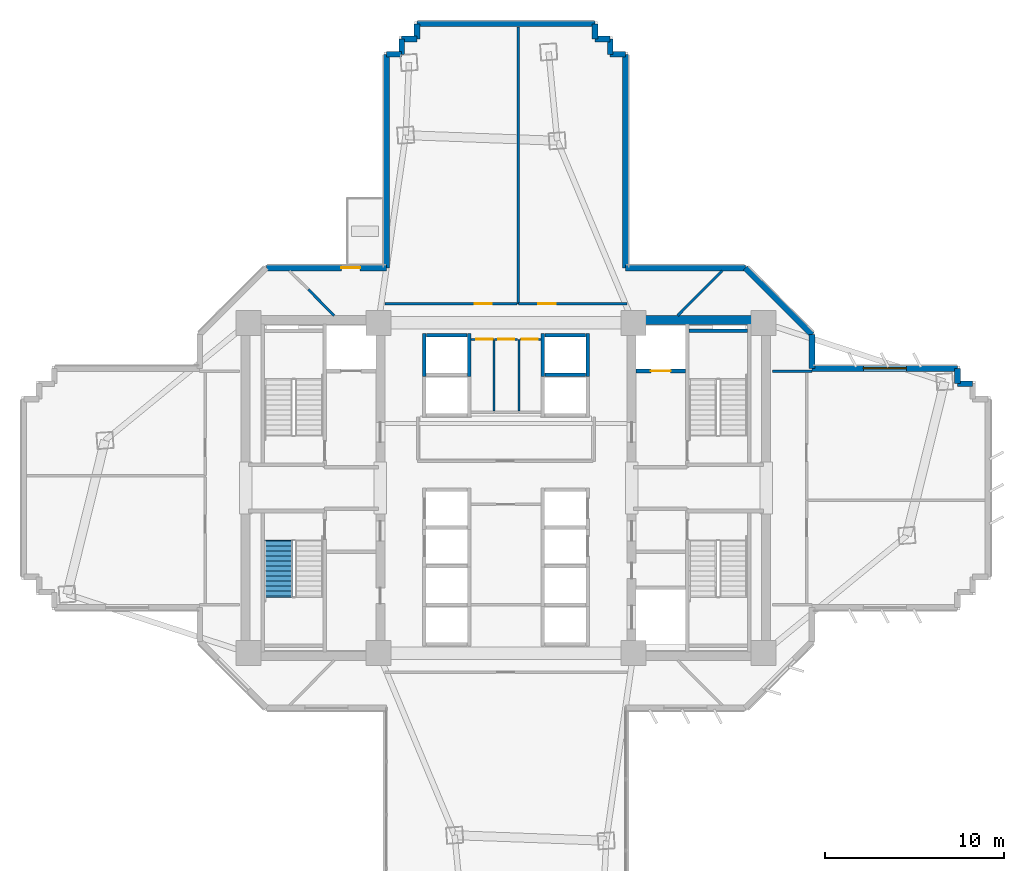
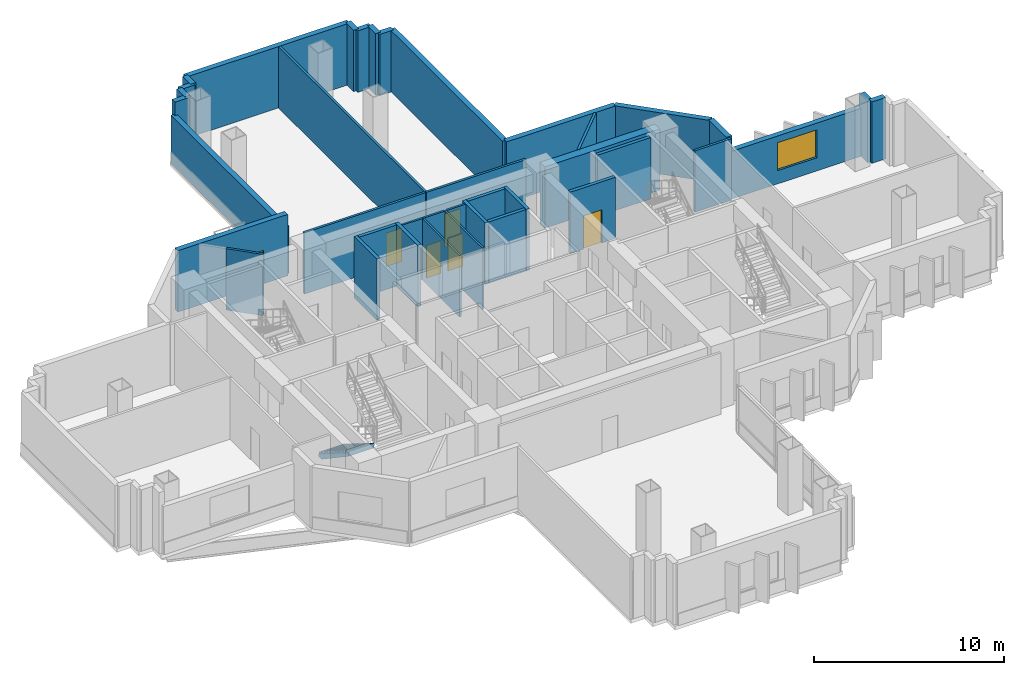
# One storey, part 8 of 14: 39 walls, 7 doors, 1 stair flight, 1 window, 8 openings, 1 element without a shape of its own.
"""IFC4 building model written with IfcOpenShell, lengths in metres."""

from ifc_helpers import new_model, si_unit, direction, frame, frame_2d, origin, place, context, subcontext, project, spatial, polyline, rectangle, outline, extrude, source, transform, mapped, material, layer, layer_set, type_object, element, fill, aggregate, save


model = new_model("IFC4")

# Units and contexts
model_context = context("Model", 3, precision=1e-05, world=origin(), true_north=direction((0.0, 1.0)))
body_context = subcontext(model_context, "Body", "Model", "MODEL_VIEW")
ifc_project = project(units=[si_unit("LENGTHUNIT", "METRE"), si_unit("AREAUNIT", "SQUARE_METRE"), si_unit("VOLUMEUNIT", "CUBIC_METRE"), si_unit("PLANEANGLEUNIT", "RADIAN"), si_unit("MASSUNIT", "GRAM", prefix="KILO")], contexts=[model_context])

# Site, building, storey
site_placement = place(None, origin())
site = spatial("IfcSite", under=ifc_project, at=site_placement, CompositionType="ELEMENT")
building_placement = place(site_placement, origin())
building = spatial("IfcBuilding", under=site, at=building_placement, Name="Zahravan Cultural Tower", CompositionType="ELEMENT")
storey_placement = place(building_placement, frame((0.0, 0.0, 37.5)))
storey = spatial("IfcBuildingStorey", under=building, at=storey_placement, Name="L07", CompositionType="ELEMENT", Elevation=37.5)

# Wall, opening, window
ifc_material_1 = material(Name="Precast concrete C40/50", Category="concrete")
ifc_layer_1 = layer(ifc_material_1, 0.320068359375)
ifc_layer_set_1 = layer_set([ifc_layer_1], Name="Precast concrete C40/50")
wall_type_1 = type_object("IfcWallType", Name="EW-TC-320", PredefinedType="SOLIDWALL", material=ifc_layer_set_1)
wall_1_placement = place(storey_placement, frame((53.06005859375, 33.659912109375, 0.0), z_axis=(0.0, 0.0, 1.0), x_axis=(1.0, 0.0, 0.0)))
wall_1 = element("IfcWall", 1, at=wall_1_placement, inside=storey, type_object=wall_type_1, Name="L07 Exterior Masonry Frame Wall 01", PredefinedType="SOLIDWALL", context=body_context, shape_type="SweptSolid", body=[
    extrude(rectangle(XDim=8.099853515625, YDim=0.320068359375, at=frame_2d((4.0498046875, 0.0))), origin(), (0.0, 0.0, 1.0), 3.080078125),
])
opening_1_placement = place(wall_1_placement, frame((2.85009765625, 0.0, 0.85009765625)))
opening_1 = element("IfcOpeningElement", 2, at=opening_1_placement, cuts=wall_1, Name="Opening WN-01", PredefinedType="OPENING", context=body_context, shape_type="SweptSolid", body=[
    extrude(rectangle(XDim=2.39990234375, YDim=1.800048828125, at=frame_2d((1.199951171875, 0.89990234375))), frame((0.0, 0.169921875, 0.0), z_axis=(0.0, -1.0, 0.0), x_axis=(1.0, 0.0, 0.0)), (0.0, 0.0, 1.0), 0.340087890625),
])
ifc_material_2 = material(Name="Low-E solar-control double glazing", Category="glass")
window_type = type_object("IfcWindowType", Name="WN-REC-2400X1800", PartitioningType="DOUBLE_PANEL_VERTICAL", PredefinedType="WINDOW", material=ifc_material_2)
shared_shape_1 = source(origin(), body_context, "Body", "SweptSolid", [
    extrude(rectangle(XDim=2.39990234375, YDim=1.800048828125, at=frame_2d((1.199951171875, 0.89990234375))), frame((0.0, 0.030029296875, 0.0), z_axis=(0.0, -1.0, 0.0), x_axis=(1.0, 0.0, 0.0)), (0.0, 0.0, 1.0), 0.06005859375),
])
window_placement = place(opening_1_placement, origin())
window = element("IfcWindow", 3, at=window_placement, inside=storey, type_object=window_type, Name="L07 Recessed Solar Window 01", OverallHeight=1.800048828125, OverallWidth=2.39990234375, PartitioningType="DOUBLE_PANEL_VERTICAL", PredefinedType="WINDOW", context=body_context, shape_type="MappedRepresentation", body=[
    mapped(shared_shape_1, transform((0.0, 0.0, 0.0), x_axis=(1.0, 0.0, 0.0), y_axis=(0.0, 1.0, 0.0), z_axis=(0.0, 0.0, 1.0), scale=1.0)),
])
fill(opening_1, window)

# Wall, opening, door
wall_2_placement = place(storey_placement, frame((22.657958984375, 39.260009765625, 0.0), z_axis=(0.0, 0.0, 1.0), x_axis=(1.0, 0.0, 0.0)))
wall_2 = element("IfcWall", 4, at=wall_2_placement, inside=storey, type_object=wall_type_1, Name="L07 Exterior Masonry Frame Wall 40", PredefinedType="SOLIDWALL", context=body_context, shape_type="SweptSolid", body=[
    extrude(rectangle(XDim=6.68212890625, YDim=0.320068359375, at=frame_2d((3.341064453125, 0.0))), origin(), (0.0, 0.0, 1.0), 3.949951171875),
])
opening_2_placement = place(wall_2_placement, frame((4.16796875, 0.0, 0.0)))
opening_2 = element("IfcOpeningElement", 5, at=opening_2_placement, cuts=wall_2, Name="Opening D-L07-TR-NW", PredefinedType="OPENING", context=body_context, shape_type="SweptSolid", body=[
    extrude(rectangle(XDim=1.050048828125, YDim=2.14990234375, at=frame_2d((0.52490234375, 1.074951171875))), frame((0.0, 0.169921875, 0.0), z_axis=(0.0, -1.0, 0.0), x_axis=(1.0, 0.0, 0.0)), (0.0, 0.0, 1.0), 0.340087890625),
])
ifc_material_3 = material(Name="Anodised bronze-aluminium mullion", Category="aluminium")
door_type_1 = type_object("IfcDoorType", Name="DR-TERR-1050", OperationType="NOTDEFINED", PredefinedType="DOOR", material=ifc_material_3)
shared_shape_2 = source(origin(), body_context, "Body", "SweptSolid", [
    extrude(rectangle(XDim=1.050048828125, YDim=2.14990234375, at=frame_2d((0.52490234375, 1.074951171875))), frame((0.0, 0.02490234375, 0.0), z_axis=(0.0, -1.0, 0.0), x_axis=(1.0, 0.0, 0.0)), (0.0, 0.0, 1.0), 0.050048828125),
])
door_1_placement = place(opening_2_placement, origin())
door_1 = element("IfcDoor", 6, at=door_1_placement, inside=storey, type_object=door_type_1, Name="L07 Terrace Access Door NW", OperationType="SINGLE_SWING_RIGHT", OverallHeight=2.14990234375, OverallWidth=1.050048828125, PredefinedType="DOOR", context=body_context, shape_type="MappedRepresentation", body=[
    mapped(shared_shape_2, transform((0.0, 0.0, 0.0), x_axis=(1.0, 0.0, 0.0), y_axis=(0.0, 1.0, 0.0), z_axis=(0.0, 0.0, 1.0), scale=1.0)),
])
fill(opening_2, door_1)

ifc_material_4 = material(Name="Gypsum plasterboard partition")
ifc_layer_2 = layer(ifc_material_4, 0.139892578125)
ifc_layer_set_2 = layer_set([ifc_layer_2], Name="Gypsum plasterboard partition")
wall_type_2 = type_object("IfcWallType", Name="W-PART-140", PredefinedType="PARTITIONING", material=ifc_layer_set_2)
wall_3_placement = place(storey_placement, frame((42.742431640625, 37.259765625, 0.0), z_axis=(0.0, 0.0, 1.0), x_axis=(-0.999999999186, 4.0337219e-05, 0.0)))
wall_3 = element("IfcWall", 7, at=wall_3_placement, inside=storey, type_object=wall_type_2, Name="L07 Interior Wall 094", PredefinedType="PARTITIONING", context=body_context, shape_type="SweptSolid", body=[
    extrude(rectangle(XDim=6.052490234375, YDim=0.139892578125, at=frame_2d((3.0263671875, 0.0))), origin(), (0.0, 0.0, 1.0), 3.949951171875),
])
opening_3_placement = place(wall_3_placement, frame((3.97998046875, 0.0, 0.0)))
opening_3 = element("IfcOpeningElement", 8, at=opening_3_placement, cuts=wall_3, Name="Opening D-L07-18", PredefinedType="OPENING", context=body_context, shape_type="SweptSolid", body=[
    extrude(rectangle(XDim=0.949951171875, YDim=2.14990234375, at=frame_2d((0.47509765625, 1.074951171875))), frame((0.0, 0.079833984375, 0.0), z_axis=(0.0, -1.0, 0.0), x_axis=(1.0, 0.0, 0.0)), (0.0, 0.0, 1.0), 0.159912109375),
])
door_type_2 = type_object("IfcDoorType", Name="DR-ROOM-950", OperationType="NOTDEFINED", PredefinedType="DOOR", material=ifc_material_3)
shared_shape_3 = source(origin(), body_context, "Body", "SweptSolid", [
    extrude(rectangle(XDim=0.949951171875, YDim=2.14990234375, at=frame_2d((0.47509765625, 1.074951171875))), frame((0.0, 0.02490234375, 0.0), z_axis=(0.0, -1.0, 0.0), x_axis=(1.0, 0.0, 0.0)), (0.0, 0.0, 1.0), 0.050048828125),
])
door_2_placement = place(opening_3_placement, origin())
door_2 = element("IfcDoor", 9, at=door_2_placement, inside=storey, type_object=door_type_2, Name="L07 Door D-L07-18", OperationType="SINGLE_SWING_LEFT", OverallHeight=2.14990234375, OverallWidth=0.949951171875, PredefinedType="DOOR", context=body_context, shape_type="MappedRepresentation", body=[
    mapped(shared_shape_3, transform((0.0, 0.0, 0.0), x_axis=(1.0, 0.0, 0.0), y_axis=(0.0, 1.0, 0.0), z_axis=(0.0, 0.0, 1.0), scale=1.0)),
])
fill(opening_3, door_2)

wall_4_placement = place(storey_placement, frame((36.614990234375, 37.260009765625, 0.0), z_axis=(0.0, 0.0, 1.0), x_axis=(-0.999999999449, -3.3182904e-05, 0.0)))
wall_4 = element("IfcWall", 10, at=wall_4_placement, inside=storey, type_object=wall_type_2, Name="L07 Interior Wall 096", PredefinedType="PARTITIONING", context=body_context, shape_type="SweptSolid", body=[
    extrude(rectangle(XDim=7.357421875, YDim=0.139892578125, at=frame_2d((3.6787109375, 0.0))), origin(), (0.0, 0.0, 1.0), 3.949951171875),
])
opening_4_placement = place(wall_4_placement, frame((1.40966796875, 0.0, 0.0)))
opening_4 = element("IfcOpeningElement", 11, at=opening_4_placement, cuts=wall_4, Name="Opening D-L07-19", PredefinedType="OPENING", context=body_context, shape_type="SweptSolid", body=[
    extrude(rectangle(XDim=0.949951171875, YDim=2.14990234375, at=frame_2d((0.47509765625, 1.074951171875))), frame((0.0, 0.079833984375, 0.0), z_axis=(0.0, -1.0, 0.0), x_axis=(1.0, 0.0, 0.0)), (0.0, 0.0, 1.0), 0.159912109375),
])
door_3_placement = place(opening_4_placement, origin())
door_3 = element("IfcDoor", 12, at=door_3_placement, inside=storey, type_object=door_type_2, Name="L07 Door D-L07-19", OperationType="SINGLE_SWING_RIGHT", OverallHeight=2.14990234375, OverallWidth=0.949951171875, PredefinedType="DOOR", context=body_context, shape_type="MappedRepresentation", body=[
    mapped(shared_shape_3, transform((0.0, 0.0, 0.0), x_axis=(1.0, 0.0, 0.0), y_axis=(0.0, 1.0, 0.0), z_axis=(0.0, 0.0, 1.0), scale=1.0)),
])
fill(opening_4, door_3)

ifc_material_5 = material(Name="Concrete C45/55", Category="concrete")
ifc_layer_3 = layer(ifc_material_5, 0.199951171875)
ifc_layer_set_3 = layer_set([ifc_layer_3], Name="Concrete C45/55")
wall_type_3 = type_object("IfcWallType", Name="W-SHAFT-200", PredefinedType="SOLIDWALL", material=ifc_layer_set_3)
wall_5_placement = place(storey_placement, frame((43.25, 33.52001953125, 0.0), z_axis=(0.0, 0.0, 1.0), x_axis=(1.0, 0.0, 0.0)))
wall_5 = element("IfcWall", 13, at=wall_5_placement, inside=storey, type_object=wall_type_3, Name="L07 Interior Wall 022", PredefinedType="SOLIDWALL", context=body_context, shape_type="SweptSolid", body=[
    extrude(rectangle(XDim=2.75, YDim=0.199951171875, at=frame_2d((1.375, 0.0))), origin(), (0.0, 0.0, 1.0), 3.949951171875),
])
opening_5_placement = place(wall_5_placement, frame((0.820068359375, 0.0, 0.0)))
opening_5 = element("IfcOpeningElement", 14, at=opening_5_placement, cuts=wall_5, Name="Opening LD-L07-02", PredefinedType="OPENING", context=body_context, shape_type="SweptSolid", body=[
    extrude(rectangle(XDim=1.10009765625, YDim=2.14990234375, at=frame_2d((0.550048828125, 1.074951171875))), frame((0.0, 0.10986328125, 0.0), z_axis=(0.0, -1.0, 0.0), x_axis=(1.0, 0.0, 0.0)), (0.0, 0.0, 1.0), 0.219970703125),
])
ifc_material_6 = material(Name="Steel ASTM A572 Grade 50", Category="steel")
door_type_3 = type_object("IfcDoorType", Name="DR-LIFT-1100", OperationType="DOUBLE_DOOR_SLIDING", PredefinedType="DOOR", material=ifc_material_6)
shared_shape_4 = source(origin(), body_context, "Body", "SweptSolid", [
    extrude(rectangle(XDim=1.10009765625, YDim=2.14990234375, at=frame_2d((0.550048828125, 1.074951171875))), frame((0.0, 0.02490234375, 0.0), z_axis=(0.0, -1.0, 0.0), x_axis=(1.0, 0.0, 0.0)), (0.0, 0.0, 1.0), 0.050048828125),
])
door_4_placement = place(opening_5_placement, origin())
door_4 = element("IfcDoor", 15, at=door_4_placement, inside=storey, type_object=door_type_3, Name="L07 Door LD-L07-02", OperationType="DOUBLE_DOOR_SLIDING", OverallHeight=2.14990234375, OverallWidth=1.10009765625, PredefinedType="DOOR", context=body_context, shape_type="MappedRepresentation", body=[
    mapped(shared_shape_4, transform((0.0, 0.0, 0.0), x_axis=(1.0, 0.0, 0.0), y_axis=(0.0, 1.0, 0.0), z_axis=(0.0, 0.0, 1.0), scale=1.0)),
])
fill(opening_5, door_4)

ifc_layer_4 = layer(ifc_material_4, 0.114990234375)
ifc_layer_set_4 = layer_set([ifc_layer_4], Name="Gypsum plasterboard partition")
wall_type_4 = type_object("IfcWallType", Name="W-WC-115", PredefinedType="PARTITIONING", material=ifc_layer_set_4)
wall_6_placement = place(storey_placement, frame((36.782470703125, 35.280029296875, 0.0), z_axis=(0.0, 0.0, 1.0), x_axis=(1.0, 0.0, 0.0)))
wall_6 = element("IfcWall", 16, at=wall_6_placement, inside=storey, type_object=wall_type_4, Name="L07 Interior Wall 068", PredefinedType="PARTITIONING", context=body_context, shape_type="SweptSolid", body=[
    extrude(rectangle(XDim=1.16259765625, YDim=0.114990234375, at=frame_2d((0.581298828125, 0.0))), origin(), (0.0, 0.0, 1.0), 3.949951171875),
])
opening_6_placement = place(wall_6_placement, frame((0.0888671875, 0.0, 0.0)))
opening_6 = element("IfcOpeningElement", 17, at=opening_6_placement, cuts=wall_6, Name="Opening D-L07-13", PredefinedType="OPENING", context=body_context, shape_type="SweptSolid", body=[
    extrude(rectangle(XDim=0.89990234375, YDim=2.10009765625, at=frame_2d((0.449951171875, 1.050048828125))), frame((0.0, 0.0673828125, 0.0), z_axis=(0.0, -1.0, 0.0), x_axis=(1.0, 0.0, 0.0)), (0.0, 0.0, 1.0), 0.135009765625),
])
door_type_4 = type_object("IfcDoorType", Name="DR-WC-900", OperationType="NOTDEFINED", PredefinedType="DOOR", material=ifc_material_3)
shared_shape_5 = source(origin(), body_context, "Body", "SweptSolid", [
    extrude(rectangle(XDim=0.89990234375, YDim=2.10009765625, at=frame_2d((0.449951171875, 1.050048828125))), frame((0.0, 0.02490234375, 0.0), z_axis=(0.0, -1.0, 0.0), x_axis=(1.0, 0.0, 0.0)), (0.0, 0.0, 1.0), 0.050048828125),
])
door_5_placement = place(opening_6_placement, origin())
door_5 = element("IfcDoor", 18, at=door_5_placement, inside=storey, type_object=door_type_4, Name="L07 Door D-L07-13", OperationType="SINGLE_SWING_RIGHT", OverallHeight=2.10009765625, OverallWidth=0.89990234375, PredefinedType="DOOR", context=body_context, shape_type="MappedRepresentation", body=[
    mapped(shared_shape_5, transform((0.0, 0.0, 0.0), x_axis=(1.0, 0.0, 0.0), y_axis=(0.0, 1.0, 0.0), z_axis=(0.0, 0.0, 1.0), scale=1.0)),
])
fill(opening_6, door_5)

wall_7_placement = place(storey_placement, frame((34.054931640625, 35.280029296875, 0.0), z_axis=(0.0, 0.0, 1.0), x_axis=(1.0, 0.0, 0.0)))
wall_7 = element("IfcWall", 19, at=wall_7_placement, inside=storey, type_object=wall_type_4, Name="L07 Interior Wall 070", PredefinedType="PARTITIONING", context=body_context, shape_type="SweptSolid", body=[
    extrude(rectangle(XDim=1.28515625, YDim=0.114990234375, at=frame_2d((0.642578125, 0.0))), origin(), (0.0, 0.0, 1.0), 3.949951171875),
])
opening_7_placement = place(wall_7_placement, frame((0.30029296875, 0.0, 0.0)))
opening_7 = element("IfcOpeningElement", 20, at=opening_7_placement, cuts=wall_7, Name="Opening D-L07-11", PredefinedType="OPENING", context=body_context, shape_type="SweptSolid", body=[
    extrude(rectangle(XDim=0.89990234375, YDim=2.10009765625, at=frame_2d((0.449951171875, 1.050048828125))), frame((0.0, 0.0673828125, 0.0), z_axis=(0.0, -1.0, 0.0), x_axis=(1.0, 0.0, 0.0)), (0.0, 0.0, 1.0), 0.135009765625),
])
door_6_placement = place(opening_7_placement, origin())
door_6 = element("IfcDoor", 21, at=door_6_placement, inside=storey, type_object=door_type_4, Name="L07 Door D-L07-11", OperationType="SINGLE_SWING_RIGHT", OverallHeight=2.10009765625, OverallWidth=0.89990234375, PredefinedType="DOOR", context=body_context, shape_type="MappedRepresentation", body=[
    mapped(shared_shape_5, transform((0.0, 0.0, 0.0), x_axis=(1.0, 0.0, 0.0), y_axis=(0.0, 1.0, 0.0), z_axis=(0.0, 0.0, 1.0), scale=1.0)),
])
fill(opening_7, door_6)

wall_8_placement = place(storey_placement, frame((35.360107421875, 35.280029296875, 0.0), z_axis=(0.0, 0.0, 1.0), x_axis=(1.0, 0.0, 0.0)))
wall_8 = element("IfcWall", 22, at=wall_8_placement, inside=storey, type_object=wall_type_4, Name="L07 Interior Wall 073", PredefinedType="PARTITIONING", context=body_context, shape_type="SweptSolid", body=[
    extrude(rectangle(XDim=1.29736328125, YDim=0.114990234375, at=frame_2d((0.648681640625, 0.0))), origin(), (0.0, 0.0, 1.0), 3.949951171875),
])
opening_8_placement = place(wall_8_placement, frame((0.19873046875, 0.0, 0.0)))
opening_8 = element("IfcOpeningElement", 23, at=opening_8_placement, cuts=wall_8, Name="Opening D-L07-12", PredefinedType="OPENING", context=body_context, shape_type="SweptSolid", body=[
    extrude(rectangle(XDim=0.89990234375, YDim=2.10009765625, at=frame_2d((0.449951171875, 1.050048828125))), frame((0.0, 0.0673828125, 0.0), z_axis=(0.0, -1.0, 0.0), x_axis=(1.0, 0.0, 0.0)), (0.0, 0.0, 1.0), 0.135009765625),
])
door_7_placement = place(opening_8_placement, origin())
door_7 = element("IfcDoor", 24, at=door_7_placement, inside=storey, type_object=door_type_4, Name="L07 Door D-L07-12", OperationType="SINGLE_SWING_LEFT", OverallHeight=2.10009765625, OverallWidth=0.89990234375, PredefinedType="DOOR", context=body_context, shape_type="MappedRepresentation", body=[
    mapped(shared_shape_5, transform((0.0, 0.0, 0.0), x_axis=(1.0, 0.0, 0.0), y_axis=(0.0, 1.0, 0.0), z_axis=(0.0, 0.0, 1.0), scale=1.0)),
])
fill(opening_8, door_7)

# Walls
ifc_material_7 = material(Name="Concrete C60/75", Category="concrete")
ifc_layer_5 = layer(ifc_material_7, 0.5)
ifc_layer_set_5 = layer_set([ifc_layer_5], Name="Concrete C60/75")
wall_type_5 = type_object("IfcWallType", Name="CW-SHEAR-500-C60", PredefinedType="SHEAR", material=ifc_layer_set_5)
shared_shape_6 = source(origin(), body_context, "Body", "SweptSolid", [
    extrude(rectangle(XDim=7.0, YDim=0.5, at=frame_2d((3.5, 0.0))), origin(), (0.0, 0.0, 1.0), 3.949951171875),
])
wall_9_placement = place(storey_placement, frame((43.25, 36.35009765625, 0.0), z_axis=(0.0, 0.0, 1.0), x_axis=(1.0, 0.0, 0.0)))
element("IfcWall", 25, at=wall_9_placement, inside=storey, type_object=wall_type_5, Name="L07 Core Shear Wall CW-E-N-L07", PredefinedType="SHEAR", context=body_context, shape_type="MappedRepresentation", body=[
    mapped(shared_shape_6, transform((0.0, 0.0, 0.0), x_axis=(1.0, 0.0, 0.0), y_axis=(0.0, 1.0, 0.0), z_axis=(0.0, 0.0, 1.0), scale=1.0)),
])
shared_shape_7 = source(origin(), body_context, "Body", "SweptSolid", [
    extrude(rectangle(XDim=0.849853515625, YDim=0.320068359375, at=frame_2d((0.4248046875, 0.0))), origin(), (0.0, 0.0, 1.0), 3.949951171875),
])
for number, where, z_axis, x_axis, name in (
    (26, (61.159912109375, 33.659912109375, 0.0), (0.0, 0.0, 1.0), (0.0, -1.0, 0.0), "L07 Exterior Masonry Frame Wall 02"),
    (27, (29.340087890625, 51.159912109375, 0.0), (0.0, 0.0, 1.0), (1.0, 0.0, 0.0), "L07 Exterior Masonry Frame Wall 42"),
    (28, (41.81005859375, 51.159912109375, 0.0), (0.0, 0.0, 1.0), (1.0, 0.0, 0.0), "L07 Exterior Masonry Frame Wall 50"),
):
    element("IfcWall", number, at=place(storey_placement, frame(where, z_axis=z_axis, x_axis=x_axis)), inside=storey, type_object=wall_type_1, Name=name, PredefinedType="SOLIDWALL", context=body_context, shape_type="MappedRepresentation", body=[
        mapped(shared_shape_7, transform((0.0, 0.0, 0.0), x_axis=(1.0, 0.0, 0.0), y_axis=(0.0, 1.0, 0.0), z_axis=(0.0, 0.0, 1.0), scale=1.0)),
    ])
shared_shape_8 = source(origin(), body_context, "Body", "SweptSolid", [
    extrude(rectangle(XDim=0.85009765625, YDim=0.320068359375, at=frame_2d((0.425048828125, 0.0))), origin(), (0.0, 0.0, 1.0), 3.949951171875),
])
for number, where, z_axis, x_axis, name in (
    (29, (61.159912109375, 32.81005859375, 0.0), (0.0, 0.0, 1.0), (1.0, 0.0, 0.0), "L07 Exterior Masonry Frame Wall 03"),
    (30, (30.18994140625, 51.159912109375, 0.0), (0.0, 0.0, 1.0), (0.0, 1.0, 0.0), "L07 Exterior Masonry Frame Wall 43"),
    (31, (30.18994140625, 52.010009765625, 0.0), (0.0, 0.0, 1.0), (1.0, 0.0, 0.0), "L07 Exterior Masonry Frame Wall 44"),
    (32, (31.0400390625, 52.010009765625, 0.0), (0.0, 0.0, 1.0), (0.0, 1.0, 0.0), "L07 Exterior Masonry Frame Wall 45"),
    (33, (40.9599609375, 52.860107421875, 0.0), (0.0, 0.0, 1.0), (0.0, -1.0, 0.0), "L07 Exterior Masonry Frame Wall 47"),
    (34, (40.9599609375, 52.010009765625, 0.0), (0.0, 0.0, 1.0), (1.0, 0.0, 0.0), "L07 Exterior Masonry Frame Wall 48"),
    (35, (41.81005859375, 52.010009765625, 0.0), (0.0, 0.0, 1.0), (0.0, -1.0, 0.0), "L07 Exterior Masonry Frame Wall 49"),
):
    element("IfcWall", number, at=place(storey_placement, frame(where, z_axis=z_axis, x_axis=x_axis)), inside=storey, type_object=wall_type_1, Name=name, PredefinedType="SOLIDWALL", context=body_context, shape_type="MappedRepresentation", body=[
        mapped(shared_shape_8, transform((0.0, 0.0, 0.0), x_axis=(1.0, 0.0, 0.0), y_axis=(0.0, 1.0, 0.0), z_axis=(0.0, 0.0, 1.0), scale=1.0)),
    ])
shared_shape_9 = source(origin(), body_context, "Body", "SweptSolid", [
    extrude(rectangle(XDim=9.919921875, YDim=0.320068359375, at=frame_2d((4.9599609375, 0.0))), origin(), (0.0, 0.0, 1.0), 3.949951171875),
])
wall_10_placement = place(storey_placement, frame((31.0400390625, 52.860107421875, 0.0), z_axis=(0.0, 0.0, 1.0), x_axis=(1.0, 0.0, 0.0)))
element("IfcWall", 36, at=wall_10_placement, inside=storey, type_object=wall_type_1, Name="L07 Exterior Masonry Frame Wall 46", PredefinedType="SOLIDWALL", context=body_context, shape_type="MappedRepresentation", body=[
    mapped(shared_shape_9, transform((0.0, 0.0, 0.0), x_axis=(1.0, 0.0, 0.0), y_axis=(0.0, 1.0, 0.0), z_axis=(0.0, 0.0, 1.0), scale=1.0)),
])
shared_shape_10 = source(origin(), body_context, "Body", "SweptSolid", [
    extrude(rectangle(XDim=1.882080078125, YDim=0.320068359375, at=frame_2d((0.94091796875, 0.0))), origin(), (0.0, 0.0, 1.0), 3.949951171875),
])
wall_11_placement = place(storey_placement, frame((53.06005859375, 35.5419921875, 0.0), z_axis=(0.0, 0.0, 1.0), x_axis=(0.0, -1.0, 0.0)))
element("IfcWall", 37, at=wall_11_placement, inside=storey, type_object=wall_type_1, Name="L07 Exterior Masonry Frame Wall 54", PredefinedType="SOLIDWALL", context=body_context, shape_type="MappedRepresentation", body=[
    mapped(shared_shape_10, transform((0.0, 0.0, 0.0), x_axis=(1.0, 0.0, 0.0), y_axis=(0.0, 1.0, 0.0), z_axis=(0.0, 0.0, 1.0), scale=1.0)),
])
shared_shape_11 = source(origin(), body_context, "Body", "SweptSolid", [
    extrude(rectangle(XDim=5.258056640625, YDim=0.320068359375, at=frame_2d((2.62890625, 0.0))), origin(), (0.0, 0.0, 1.0), 3.949951171875),
])
wall_12_placement = place(storey_placement, frame((49.342041015625, 39.260009765625, 0.0), z_axis=(0.0, 0.0, 1.0), x_axis=(0.707106781187, -0.707106781187, 0.0)))
element("IfcWall", 38, at=wall_12_placement, inside=storey, type_object=wall_type_1, Name="L07 Exterior Masonry Frame Wall 53", PredefinedType="SOLIDWALL", context=body_context, shape_type="MappedRepresentation", body=[
    mapped(shared_shape_11, transform((0.0, 0.0, 0.0), x_axis=(1.0, 0.0, 0.0), y_axis=(0.0, 1.0, 0.0), z_axis=(0.0, 0.0, 1.0), scale=1.0)),
])
shared_shape_12 = source(origin(), body_context, "Body", "SweptSolid", [
    extrude(rectangle(XDim=6.68212890625, YDim=0.320068359375, at=frame_2d((3.341064453125, 0.0))), origin(), (0.0, 0.0, 1.0), 3.949951171875),
])
wall_13_placement = place(storey_placement, frame((42.659912109375, 39.260009765625, 0.0), z_axis=(0.0, 0.0, 1.0), x_axis=(1.0, 0.0, 0.0)))
element("IfcWall", 39, at=wall_13_placement, inside=storey, type_object=wall_type_1, Name="L07 Exterior Masonry Frame Wall 52", PredefinedType="SOLIDWALL", context=body_context, shape_type="MappedRepresentation", body=[
    mapped(shared_shape_12, transform((0.0, 0.0, 0.0), x_axis=(1.0, 0.0, 0.0), y_axis=(0.0, 1.0, 0.0), z_axis=(0.0, 0.0, 1.0), scale=1.0)),
])
shared_shape_13 = source(origin(), body_context, "Body", "SweptSolid", [
    extrude(rectangle(XDim=11.89990234375, YDim=0.320068359375, at=frame_2d((5.949951171875, 0.0))), origin(), (0.0, 0.0, 1.0), 3.949951171875),
])
wall_14_placement = place(storey_placement, frame((42.659912109375, 51.159912109375, 0.0), z_axis=(0.0, 0.0, 1.0), x_axis=(0.0, -1.0, 0.0)))
element("IfcWall", 40, at=wall_14_placement, inside=storey, type_object=wall_type_1, Name="L07 Exterior Masonry Frame Wall 51", PredefinedType="SOLIDWALL", context=body_context, shape_type="MappedRepresentation", body=[
    mapped(shared_shape_13, transform((0.0, 0.0, 0.0), x_axis=(1.0, 0.0, 0.0), y_axis=(0.0, 1.0, 0.0), z_axis=(0.0, 0.0, 1.0), scale=1.0)),
])
shared_shape_14 = source(origin(), body_context, "Body", "SweptSolid", [
    extrude(rectangle(XDim=11.89990234375, YDim=0.320068359375, at=frame_2d((5.949951171875, 0.0))), origin(), (0.0, 0.0, 1.0), 3.080078125),
])
wall_15_placement = place(storey_placement, frame((29.340087890625, 39.260009765625, 0.0), z_axis=(0.0, 0.0, 1.0), x_axis=(0.0, 1.0, 0.0)))
element("IfcWall", 41, at=wall_15_placement, inside=storey, type_object=wall_type_1, Name="L07 Exterior Masonry Frame Wall 41", PredefinedType="SOLIDWALL", context=body_context, shape_type="MappedRepresentation", body=[
    mapped(shared_shape_14, transform((0.0, 0.0, 0.0), x_axis=(1.0, 0.0, 0.0), y_axis=(0.0, 1.0, 0.0), z_axis=(0.0, 0.0, 1.0), scale=1.0)),
])
shared_shape_15 = source(origin(), body_context, "Body", "SweptSolid", [
    extrude(rectangle(XDim=3.25, YDim=0.199951171875, at=frame_2d((1.625, 0.0))), origin(), (0.0, 0.0, 1.0), 3.949951171875),
])
wall_16_placement = place(storey_placement, frame((46.199951171875, 35.75, 0.0), z_axis=(0.0, 0.0, 1.0), x_axis=(1.0, 0.0, 0.0)))
element("IfcWall", 42, at=wall_16_placement, inside=storey, type_object=wall_type_3, Name="L07 Interior Wall 018", PredefinedType="SOLIDWALL", context=body_context, shape_type="MappedRepresentation", body=[
    mapped(shared_shape_15, transform((0.0, 0.0, 0.0), x_axis=(1.0, 0.0, 0.0), y_axis=(0.0, 1.0, 0.0), z_axis=(0.0, 0.0, 1.0), scale=1.0)),
])
shared_shape_16 = source(origin(), body_context, "Body", "SweptSolid", [
    extrude(rectangle(XDim=2.400146484375, YDim=0.199951171875, at=frame_2d((1.2001953125, 0.0))), origin(), (0.0, 0.0, 1.0), 3.949951171875),
])
for number, where, z_axis, x_axis, name in (
    (43, (31.449951171875, 33.199951171875, 0.0), (0.0, 0.0, 1.0), (0.0, 1.0, 0.0), "L07 Interior Wall 026"),
    (44, (33.949951171875, 33.199951171875, 0.0), (0.0, 0.0, 1.0), (0.0, 1.0, 0.0), "L07 Interior Wall 027"),
    (45, (38.050048828125, 33.199951171875, 0.0), (0.0, 0.0, 1.0), (0.0, 1.0, 0.0), "L07 Interior Wall 033"),
    (46, (40.550048828125, 33.199951171875, 0.0), (0.0, 0.0, 1.0), (0.0, 1.0, 0.0), "L07 Interior Wall 034"),
):
    element("IfcWall", number, at=place(storey_placement, frame(where, z_axis=z_axis, x_axis=x_axis)), inside=storey, type_object=wall_type_3, Name=name, PredefinedType="SOLIDWALL", context=body_context, shape_type="MappedRepresentation", body=[
        mapped(shared_shape_16, transform((0.0, 0.0, 0.0), x_axis=(1.0, 0.0, 0.0), y_axis=(0.0, 1.0, 0.0), z_axis=(0.0, 0.0, 1.0), scale=1.0)),
    ])
shared_shape_17 = source(origin(), body_context, "Body", "SweptSolid", [
    extrude(rectangle(XDim=2.260009765625, YDim=0.199951171875, at=frame_2d((1.1298828125, 0.0))), origin(), (0.0, 0.0, 1.0), 3.949951171875),
])
for number, where, z_axis, x_axis, name in (
    (47, (31.570068359375, 35.5, 0.0), (0.0, 0.0, 1.0), (1.0, 0.0, 0.0), "L07 Interior Wall 029"),
    (48, (38.169921875, 33.300048828125, 0.0), (0.0, 0.0, 1.0), (1.0, 0.0, 0.0), "L07 Interior Wall 035"),
    (49, (38.169921875, 35.5, 0.0), (0.0, 0.0, 1.0), (1.0, 0.0, 0.0), "L07 Interior Wall 036"),
):
    element("IfcWall", number, at=place(storey_placement, frame(where, z_axis=z_axis, x_axis=x_axis)), inside=storey, type_object=wall_type_3, Name=name, PredefinedType="SOLIDWALL", context=body_context, shape_type="MappedRepresentation", body=[
        mapped(shared_shape_17, transform((0.0, 0.0, 0.0), x_axis=(1.0, 0.0, 0.0), y_axis=(0.0, 1.0, 0.0), z_axis=(0.0, 0.0, 1.0), scale=1.0)),
    ])
shared_shape_18 = source(origin(), body_context, "Body", "SweptSolid", [
    extrude(rectangle(XDim=3.99755859375, YDim=0.114990234375, at=frame_2d((1.998779296875, 0.0))), origin(), (0.0, 0.0, 1.0), 3.949951171875),
])
wall_17_placement = place(storey_placement, frame((36.719970703125, 31.282470703125, 0.0), z_axis=(0.0, 0.0, 1.0), x_axis=(0.0, 1.0, 0.0)))
element("IfcWall", 50, at=wall_17_placement, inside=storey, type_object=wall_type_4, Name="L07 Interior Wall 067", PredefinedType="PARTITIONING", context=body_context, shape_type="MappedRepresentation", body=[
    mapped(shared_shape_18, transform((0.0, 0.0, 0.0), x_axis=(1.0, 0.0, 0.0), y_axis=(0.0, 1.0, 0.0), z_axis=(0.0, 0.0, 1.0), scale=1.0)),
])
shared_shape_19 = source(origin(), body_context, "Body", "SweptSolid", [
    extrude(rectangle(XDim=3.93505859375, YDim=0.114990234375, at=frame_2d((1.967529296875, 0.0))), origin(), (0.0, 0.0, 1.0), 3.949951171875),
])
wall_18_placement = place(storey_placement, frame((35.340087890625, 35.217529296875, 0.0), z_axis=(0.0, 0.0, 1.0), x_axis=(0.0, -1.0, 0.0)))
element("IfcWall", 51, at=wall_18_placement, inside=storey, type_object=wall_type_4, Name="L07 Interior Wall 071", PredefinedType="PARTITIONING", context=body_context, shape_type="MappedRepresentation", body=[
    mapped(shared_shape_19, transform((0.0, 0.0, 0.0), x_axis=(1.0, 0.0, 0.0), y_axis=(0.0, 1.0, 0.0), z_axis=(0.0, 0.0, 1.0), scale=1.0)),
])
shared_shape_20 = source(origin(), body_context, "Body", "SweptSolid", [
    extrude(rectangle(XDim=2.04736328125, YDim=0.139892578125, at=frame_2d((1.023681640625, 0.0))), origin(), (0.0, 0.0, 1.0), 3.949951171875),
])
wall_19_placement = place(storey_placement, frame((24.989990234375, 38.059326171875, 0.0), z_axis=(0.0, 0.0, 1.0), x_axis=(0.703819772346, -0.710378580797, 0.0)))
element("IfcWall", 52, at=wall_19_placement, inside=storey, type_object=wall_type_2, Name="L07 Interior Wall 082", PredefinedType="PARTITIONING", context=body_context, shape_type="MappedRepresentation", body=[
    mapped(shared_shape_20, transform((0.0, 0.0, 0.0), x_axis=(1.0, 0.0, 0.0), y_axis=(0.0, 1.0, 0.0), z_axis=(0.0, 0.0, 1.0), scale=1.0)),
])
shared_shape_21 = source(origin(), body_context, "Body", "SweptSolid", [
    extrude(rectangle(XDim=2.21435546875, YDim=0.139892578125, at=frame_2d((1.107177734375, 0.0))), origin(), (0.0, 0.0, 1.0), 3.949951171875),
])
wall_20_placement = place(storey_placement, frame((53.06494140625, 33.49951171875, 0.0), z_axis=(0.0, 0.0, 1.0), x_axis=(-0.99999912478, -0.001323041841, 0.0)))
element("IfcWall", 53, at=wall_20_placement, inside=storey, type_object=wall_type_2, Name="L07 Interior Wall 088", PredefinedType="PARTITIONING", context=body_context, shape_type="MappedRepresentation", body=[
    mapped(shared_shape_21, transform((0.0, 0.0, 0.0), x_axis=(1.0, 0.0, 0.0), y_axis=(0.0, 1.0, 0.0), z_axis=(0.0, 0.0, 1.0), scale=1.0)),
])
shared_shape_22 = source(origin(), body_context, "Body", "SweptSolid", [
    extrude(rectangle(XDim=3.505126953125, YDim=0.139892578125, at=frame_2d((1.75244140625, 0.0))), origin(), (0.0, 0.0, 1.0), 3.949951171875),
])
wall_21_placement = place(storey_placement, frame((45.569091796875, 36.60498046875, 0.0), z_axis=(0.0, 0.0, 1.0), x_axis=(0.703790445361, 0.710407635811, 0.0)))
element("IfcWall", 54, at=wall_21_placement, inside=storey, type_object=wall_type_2, Name="L07 Interior Wall 089", PredefinedType="PARTITIONING", context=body_context, shape_type="MappedRepresentation", body=[
    mapped(shared_shape_22, transform((0.0, 0.0, 0.0), x_axis=(1.0, 0.0, 0.0), y_axis=(0.0, 1.0, 0.0), z_axis=(0.0, 0.0, 1.0), scale=1.0)),
])
shared_shape_23 = source(origin(), body_context, "Body", "SweptSolid", [
    extrude(rectangle(XDim=15.43505859375, YDim=0.139892578125, at=frame_2d((7.717529296875, 0.0))), origin(), (0.0, 0.0, 1.0), 3.949951171875),
])
wall_22_placement = place(storey_placement, frame((36.68994140625, 37.260009765625, 0.0), z_axis=(0.0, 0.0, 1.0), x_axis=(0.0, 1.0, 0.0)))
element("IfcWall", 55, at=wall_22_placement, inside=storey, type_object=wall_type_2, Name="L07 Interior Wall 095", PredefinedType="PARTITIONING", context=body_context, shape_type="MappedRepresentation", body=[
    mapped(shared_shape_23, transform((0.0, 0.0, 0.0), x_axis=(1.0, 0.0, 0.0), y_axis=(0.0, 1.0, 0.0), z_axis=(0.0, 0.0, 1.0), scale=1.0)),
])

# Stair, stair flight
stair_type = type_object("IfcStairType", Name="STR-DL-1550-420", PredefinedType="HALF_TURN_STAIR", material=ifc_material_5)
stair_placement = place(storey_placement, origin())
stair = element("IfcStair", 56, at=stair_placement, inside=storey, type_object=stair_type, Name="L07 West Core South Exit Stair ST-W2", PredefinedType="HALF_TURN_STAIR")
stair_flight_type = type_object("IfcStairFlightType", Name="FLG-DL-1550-420", PredefinedType="STRAIGHT", material=ifc_material_5)
stair_flight_placement = place(storey_placement, frame((23.324951171875, 24.050048828125, 0.0), z_axis=(0.0, 0.0, 1.0), x_axis=(0.0, -1.0, 0.0)))
stair_flight = element("IfcStairFlight", 57, at=stair_flight_placement, type_object=stair_flight_type, Name="ST-W2 flight 1", NumberOfRisers=12, NumberOfTreads=11, PredefinedType="STRAIGHT", RiserHeight=0.175, TreadLength=0.28, context=body_context, shape_type="SweptSolid", body=[
    extrude(outline(polyline([(-0.06494140625, -0.139892578125), (-0.06494140625, 0.0), (0.0, 0.0), (0.0, 0.175048828125), (0.280029296875, 0.175048828125), (0.280029296875, 0.35009765625), (0.56005859375, 0.35009765625), (0.56005859375, 0.52490234375), (0.840087890625, 0.52490234375), (0.840087890625, 0.699951171875), (1.1201171875, 0.699951171875), (1.1201171875, 0.875), (1.39990234375, 0.875), (1.39990234375, 1.050048828125), (1.679931640625, 1.050048828125), (1.679931640625, 1.22509765625), (1.9599609375, 1.22509765625), (1.9599609375, 1.39990234375), (2.239990234375, 1.39990234375), (2.239990234375, 1.574951171875), (2.52001953125, 1.574951171875), (2.52001953125, 1.75), (2.800048828125, 1.75), (2.800048828125, 1.925048828125), (3.080078125, 1.925048828125), (3.080078125, 2.10009765625), (3.14501953125, 2.10009765625), (3.14501953125, 1.9501953125), (3.080078125, 1.748291015625), (0.28271484375, -0.139892578125), (-0.06494140625, -0.139892578125)])), frame((0.0, 0.77490234375, 0.0), z_axis=(0.0, -1.0, 0.0), x_axis=(1.0, 0.0, 0.0)), (0.0, 0.0, 1.0), 1.550048828125),
])
aggregate(stair, [stair_flight])

save(model, "model.ifc")
